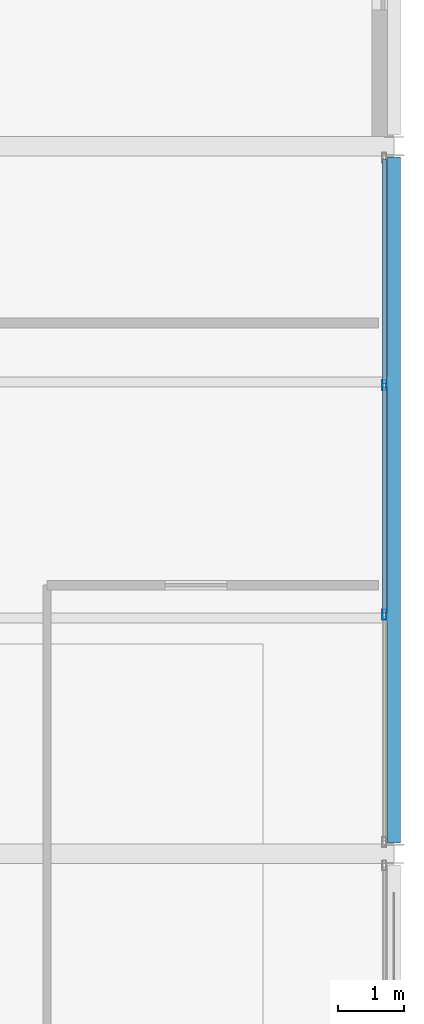
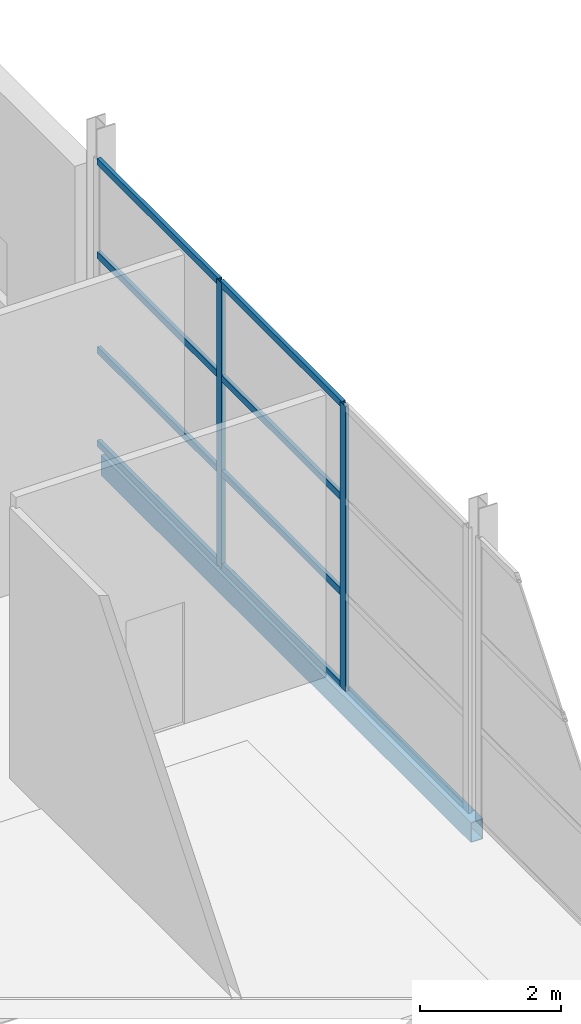
# One storey, part 16 of 34: 10 members, 1 beam, 1 element without a shape of its own.
"""IFC4 building model written with IfcOpenShell, lengths in metres."""

from ifc_helpers import new_model, si_unit, direction, frame, origin, origin_2d, place, context, subcontext, project, spatial, hollow_rectangle, extrude, material, layer, layer_set, material_profile, profile_set, type_object, element, aggregate, save


model = new_model("IFC4")

# Units and contexts
model_context = context("Model", 3, precision=1e-05, world=origin(), true_north=direction((0.0, 1.0)))
body_context = subcontext(model_context, "Body", "Model", "MODEL_VIEW")
ifc_project = project(units=[si_unit("LENGTHUNIT", "METRE"), si_unit("AREAUNIT", "SQUARE_METRE"), si_unit("VOLUMEUNIT", "CUBIC_METRE"), si_unit("PLANEANGLEUNIT", "RADIAN"), si_unit("MASSUNIT", "GRAM", prefix="KILO")], contexts=[model_context])

# Site, building, storey
site_placement = place(None, origin())
site = spatial("IfcSite", under=ifc_project, at=site_placement, CompositionType="ELEMENT")
building_placement = place(site_placement, origin())
building = spatial("IfcBuilding", under=site, at=building_placement, Name="Tamarisk Ironworks Central Station", CompositionType="ELEMENT")
storey_placement = place(building_placement, frame((0.0, 0.0, 25.199951171875)))
storey = spatial("IfcBuildingStorey", under=building, at=storey_placement, Name="L05", CompositionType="ELEMENT", Elevation=25.199951171875)

# Beam
ifc_material_1 = material(Name="Structural steel S355J2", Category="steel")
ifc_material_profile_1 = material_profile(ifc_material_1, hollow_rectangle(XDim=0.199951171875, YDim=0.35009765625, WallThickness=0.012451171875, at=origin_2d()), Name="RHS 350x200x12.5")
ifc_profile_set_1 = profile_set([ifc_material_profile_1], Name="Structural steel S355J2")
beam_type = type_object("IfcBeamType", Name="BM-SP01", PredefinedType="SPANDREL", material=ifc_profile_set_1)
beam_placement = place(storey_placement, frame((180.0, 100.968017578125, -0.39501953125), z_axis=(0.0, 1.0, 0.0), x_axis=(-1.0, 0.0, 0.0)))
element("IfcBeam", 1, at=beam_placement, inside=storey, type_object=beam_type, Name="L05 primary girder Y-0784", PredefinedType="SPANDREL", context=body_context, shape_type="SweptSolid", body=[
    extrude(hollow_rectangle(XDim=0.199951171875, YDim=0.35009765625, WallThickness=0.012451171875, at=origin_2d()), origin(), (0.0, 0.0, 1.0), 10.4638671875),
])

# Curtain wall, members
ifc_material_2 = material(Name="Anodized aluminium alloy 6063-T6", Category="aluminium")
ifc_layer = layer(ifc_material_2, 0.179931640625)
ifc_layer_set = layer_set([ifc_layer], Name="Anodized aluminium alloy 6063-T6")
curtain_wall_type = type_object("IfcCurtainWallType", Name="CW-23", PredefinedType="USERDEFINED", material=ifc_layer_set)
curtain_wall_placement = place(storey_placement, origin())
curtain_wall = element("IfcCurtainWall", 2, at=curtain_wall_placement, inside=storey, type_object=curtain_wall_type, Name="Operations L05 east facade curtain wall 100", ObjectType="GLAZED CURTAIN WALL", PredefinedType="USERDEFINED")
ifc_material_profile_2 = material_profile(ifc_material_2, hollow_rectangle(XDim=0.06005859375, YDim=0.14990234375, WallThickness=0.00341796875, at=origin_2d()), Name="ALUM 150x60")
ifc_profile_set_2 = profile_set([ifc_material_profile_2], Name="Anodized aluminium alloy 6063-T6")
member_type_1 = type_object("IfcMemberType", Name="CWM-03", PredefinedType="MULLION", material=ifc_profile_set_2)
member_1_placement = place(storey_placement, frame((179.85009765625, 104.44921875, 0.0), z_axis=(0.0, 0.0, 1.0), x_axis=(-1.0, 0.0, 0.0)))
member_1 = element("IfcMember", 3, at=member_1_placement, type_object=member_type_1, Name="CW23 mullion 2", PredefinedType="MULLION", context=body_context, shape_type="SweptSolid", body=[
    extrude(hollow_rectangle(XDim=0.06005859375, YDim=0.14990234375, WallThickness=0.00341796875, at=origin_2d()), origin(), (0.0, 0.0, 1.0), 4.920166015625),
])
member_2_placement = place(storey_placement, frame((179.85009765625, 107.95068359375, 0.0), z_axis=(0.0, 0.0, 1.0), x_axis=(-1.0, 0.0, 0.0)))
member_2 = element("IfcMember", 4, at=member_2_placement, type_object=member_type_1, Name="CW23 mullion 3", PredefinedType="MULLION", context=body_context, shape_type="SweptSolid", body=[
    extrude(hollow_rectangle(XDim=0.06005859375, YDim=0.14990234375, WallThickness=0.00341796875, at=origin_2d()), origin(), (0.0, 0.0, 1.0), 4.920166015625),
])
ifc_material_profile_3 = material_profile(ifc_material_2, hollow_rectangle(XDim=0.06005859375, YDim=0.114990234375, WallThickness=0.00341796875, at=origin_2d()), Name="ALUM 115x60")
ifc_profile_set_3 = profile_set([ifc_material_profile_3], Name="Anodized aluminium alloy 6063-T6")
member_type_2 = type_object("IfcMemberType", Name="CWT-03", PredefinedType="USERDEFINED", material=ifc_profile_set_3)
member_3_placement = place(storey_placement, frame((179.85009765625, 104.475341796875, 0.030029296875), z_axis=(0.0, 1.0, 0.0), x_axis=(-1.0, 0.0, 0.0)))
member_3 = element("IfcMember", 5, at=member_3_placement, type_object=member_type_2, Name="CW23 transom 2.1", ObjectType="TRANSOM", PredefinedType="USERDEFINED", context=body_context, shape_type="SweptSolid", body=[
    extrude(hollow_rectangle(XDim=0.06005859375, YDim=0.114990234375, WallThickness=0.00341796875, at=origin_2d()), origin(), (0.0, 0.0, 1.0), 3.44921875),
])
member_4_placement = place(storey_placement, frame((179.85009765625, 104.475341796875, 1.64013671875), z_axis=(0.0, 1.0, 0.0), x_axis=(-1.0, 0.0, 0.0)))
member_4 = element("IfcMember", 6, at=member_4_placement, type_object=member_type_2, Name="CW23 transom 2.2", ObjectType="TRANSOM", PredefinedType="USERDEFINED", context=body_context, shape_type="SweptSolid", body=[
    extrude(hollow_rectangle(XDim=0.06005859375, YDim=0.114990234375, WallThickness=0.00341796875, at=origin_2d()), origin(), (0.0, 0.0, 1.0), 3.44921875),
])
member_5_placement = place(storey_placement, frame((179.85009765625, 104.475341796875, 3.280029296875), z_axis=(0.0, 1.0, 0.0), x_axis=(-1.0, 0.0, 0.0)))
member_5 = element("IfcMember", 7, at=member_5_placement, type_object=member_type_2, Name="CW23 transom 2.3", ObjectType="TRANSOM", PredefinedType="USERDEFINED", context=body_context, shape_type="SweptSolid", body=[
    extrude(hollow_rectangle(XDim=0.06005859375, YDim=0.114990234375, WallThickness=0.00341796875, at=origin_2d()), origin(), (0.0, 0.0, 1.0), 3.44921875),
])
member_6_placement = place(storey_placement, frame((179.85009765625, 104.475341796875, 4.89013671875), z_axis=(0.0, 1.0, 0.0), x_axis=(-1.0, 0.0, 0.0)))
member_6 = element("IfcMember", 8, at=member_6_placement, type_object=member_type_2, Name="CW23 transom 2.4", ObjectType="TRANSOM", PredefinedType="USERDEFINED", context=body_context, shape_type="SweptSolid", body=[
    extrude(hollow_rectangle(XDim=0.06005859375, YDim=0.114990234375, WallThickness=0.00341796875, at=origin_2d()), origin(), (0.0, 0.0, 1.0), 3.44921875),
])
member_7_placement = place(storey_placement, frame((179.85009765625, 107.9765625, 0.030029296875), z_axis=(0.0, 1.0, 0.0), x_axis=(-1.0, 0.0, 0.0)))
member_7 = element("IfcMember", 9, at=member_7_placement, type_object=member_type_2, Name="CW23 transom 3.1", ObjectType="TRANSOM", PredefinedType="USERDEFINED", context=body_context, shape_type="SweptSolid", body=[
    extrude(hollow_rectangle(XDim=0.06005859375, YDim=0.114990234375, WallThickness=0.00341796875, at=origin_2d()), origin(), (0.0, 0.0, 1.0), 3.41943359375),
])
member_8_placement = place(storey_placement, frame((179.85009765625, 107.9765625, 1.64013671875), z_axis=(0.0, 1.0, 0.0), x_axis=(-1.0, 0.0, 0.0)))
member_8 = element("IfcMember", 10, at=member_8_placement, type_object=member_type_2, Name="CW23 transom 3.2", ObjectType="TRANSOM", PredefinedType="USERDEFINED", context=body_context, shape_type="SweptSolid", body=[
    extrude(hollow_rectangle(XDim=0.06005859375, YDim=0.114990234375, WallThickness=0.00341796875, at=origin_2d()), origin(), (0.0, 0.0, 1.0), 3.41943359375),
])
member_9_placement = place(storey_placement, frame((179.85009765625, 107.9765625, 3.280029296875), z_axis=(0.0, 1.0, 0.0), x_axis=(-1.0, 0.0, 0.0)))
member_9 = element("IfcMember", 11, at=member_9_placement, type_object=member_type_2, Name="CW23 transom 3.3", ObjectType="TRANSOM", PredefinedType="USERDEFINED", context=body_context, shape_type="SweptSolid", body=[
    extrude(hollow_rectangle(XDim=0.06005859375, YDim=0.114990234375, WallThickness=0.00341796875, at=origin_2d()), origin(), (0.0, 0.0, 1.0), 3.41943359375),
])
member_10_placement = place(storey_placement, frame((179.85009765625, 107.9765625, 4.89013671875), z_axis=(0.0, 1.0, 0.0), x_axis=(-1.0, 0.0, 0.0)))
member_10 = element("IfcMember", 12, at=member_10_placement, type_object=member_type_2, Name="CW23 transom 3.4", ObjectType="TRANSOM", PredefinedType="USERDEFINED", context=body_context, shape_type="SweptSolid", body=[
    extrude(hollow_rectangle(XDim=0.06005859375, YDim=0.114990234375, WallThickness=0.00341796875, at=origin_2d()), origin(), (0.0, 0.0, 1.0), 3.41943359375),
])
aggregate(curtain_wall, [member_1, member_2, member_3, member_4, member_5, member_6, member_7, member_8, member_9, member_10])

save(model, "model.ifc")
